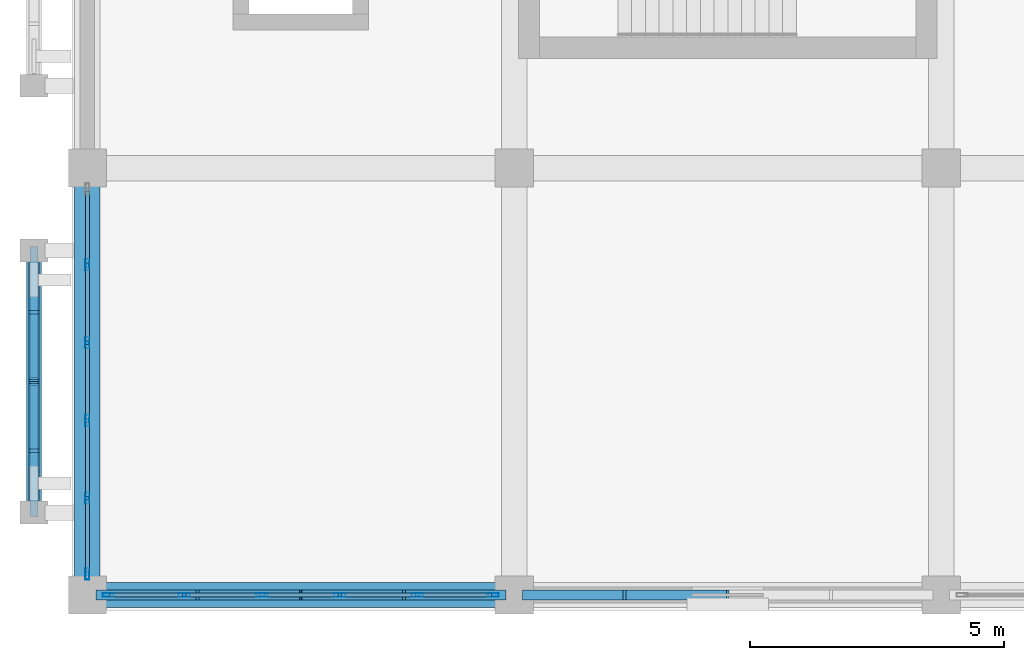
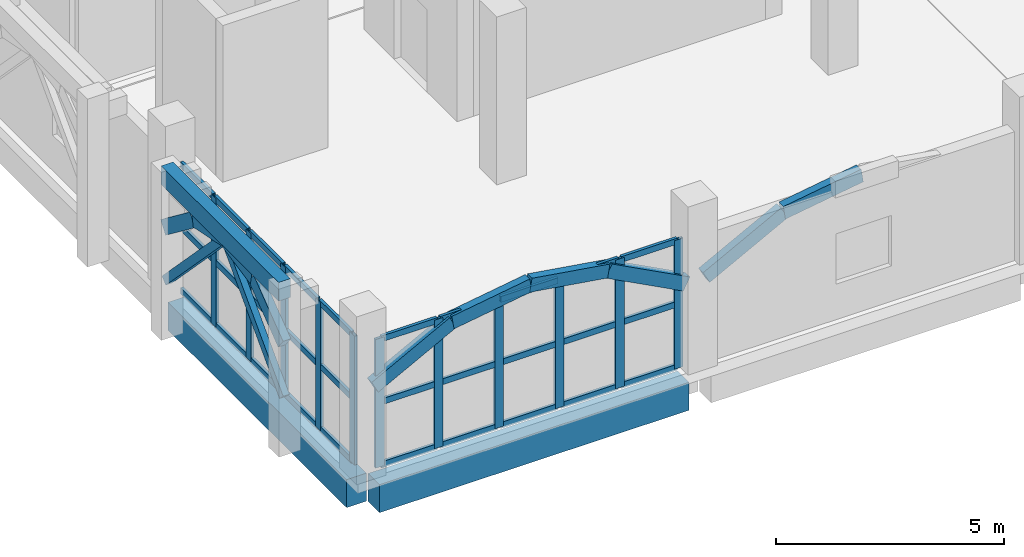
# One storey, part 2 of 34: 53 members, 3 beams, 2 elements without a shape of their own.
"""IFC4 building model written with IfcOpenShell, lengths in metres."""

import ifcopenshell
import ifcopenshell.guid

model = None  # the IFC model being written
_history = None  # IfcOwnerHistory: only IFC2X3 demands one
_inside = {}  # id of a spatial element -> (the spatial element, [elements in it])
_under = {}  # id of a project, library or spatial element -> (it, [spatial elements below it])
_declared = {}  # id of a project -> (the project, [libraries it declares])
_typed = {}  # id of a type object -> (the type object, [elements of that type])
_made_of = {}  # id of a material, layer set ... -> (it, [elements and type objects made of it])


def new_model(schema):
    """Start an empty IFC model of exactly this schema.

    Asked for "IFC4X3", IfcOpenShell would pick the latest addendum, in which some entities
    have other attributes; the version numbers below select the first issue.
    IFC2X3 requires an IfcOwnerHistory on every rooted entity: one is made here for all.
    """
    global model, _history
    if schema == "IFC4X3":
        model = ifcopenshell.file(schema_version=(4, 3, 0, 0))
    else:
        model = ifcopenshell.file(schema=schema)
    _inside.clear()
    _under.clear()
    _declared.clear()
    _typed.clear()
    _made_of.clear()
    _history = None
    if model.schema == "IFC2X3":
        org = make("IfcOrganization", Name="unknown")
        user = make(
            "IfcPersonAndOrganization",
            ThePerson=make("IfcPerson", FamilyName="unknown"),
            TheOrganization=org,
        )
        app = make(
            "IfcApplication",
            ApplicationDeveloper=org,
            Version="unknown",
            ApplicationFullName="unknown",
            ApplicationIdentifier="unknown",
        )
        _history = make(
            "IfcOwnerHistory",
            OwningUser=user,
            OwningApplication=app,
            ChangeAction="ADDED",
            CreationDate=0,
        )
    return model


def make(cls, **values):
    """One entity of the class cls with the attributes given. An attribute that is None is left unset."""
    return model.create_entity(
        cls, **{name: value for name, value in values.items() if value is not None}
    )


def rooted(cls, **values):
    """An entity with a GlobalId (a new one), such as an element, a storey or a relation."""
    return make(cls, GlobalId=ifcopenshell.guid.new(), OwnerHistory=_history, **values)


def si_unit(unit_type, name, prefix=None):
    """IfcSIUnit, for example si_unit("LENGTHUNIT", "METRE", prefix="MILLI")."""
    return make("IfcSIUnit", UnitType=unit_type, Prefix=prefix, Name=name)


def assignment(units):
    """IfcUnitAssignment: the units of a project."""
    return None if units is None else make("IfcUnitAssignment", Units=units)


def point(xyz):
    """IfcCartesianPoint."""
    return None if xyz is None else make("IfcCartesianPoint", Coordinates=xyz)


def direction(xyz):
    """IfcDirection."""
    return None if xyz is None else make("IfcDirection", DirectionRatios=xyz)


def frame(location, z_axis=None, x_axis=None):
    """IfcAxis2Placement3D, a coordinate frame: its origin and axes. An axis left out is left unset."""
    return make(
        "IfcAxis2Placement3D",
        Location=point(location),
        Axis=direction(z_axis),
        RefDirection=direction(x_axis),
    )


def frame_2d(location, x_axis=None):
    """IfcAxis2Placement2D, a coordinate frame in the plane: its origin and x axis."""
    return make(
        "IfcAxis2Placement2D", Location=point(location), RefDirection=direction(x_axis)
    )


def origin():
    """The frame at (0, 0, 0) with its axes left unset."""
    return frame((0.0, 0.0, 0.0))


def origin_2d():
    """The frame at (0, 0) in the plane with its x axis left unset."""
    return frame_2d((0.0, 0.0))


def place(relative_to, where):
    """IfcLocalPlacement: puts the frame where relative to a parent placement (None: the world)."""
    return make(
        "IfcLocalPlacement", PlacementRelTo=relative_to, RelativePlacement=where
    )


def context(
    kind, dimensions, precision=None, world=None, true_north=None, identifier=None
):
    """IfcGeometricRepresentationContext, for example the 3D "Model" context."""
    return make(
        "IfcGeometricRepresentationContext",
        ContextIdentifier=identifier,
        ContextType=kind,
        CoordinateSpaceDimension=dimensions,
        Precision=precision,
        WorldCoordinateSystem=world,
        TrueNorth=true_north,
    )


def subcontext(parent, identifier, kind, view, scale=None):
    """IfcGeometricRepresentationSubContext, for example "Body" below "Model"."""
    return make(
        "IfcGeometricRepresentationSubContext",
        ContextIdentifier=identifier,
        ContextType=kind,
        ParentContext=parent,
        TargetScale=scale,
        TargetView=view,
    )


def project(units=None, contexts=None):
    """IfcProject with its units and contexts."""
    return rooted(
        "IfcProject",
        Name="project",
        RepresentationContexts=contexts,
        UnitsInContext=assignment(units),
    )


def spatial(cls, under=None, at=None, **own):
    """A site, building, storey or space (cls), placed at a placement, below another one or the project."""
    s = rooted(cls, ObjectPlacement=at, **own)
    if under is not None:
        _under.setdefault(under.id(), (under, []))[1].append(s)
    return s


def profile(cls, at=None, kind="AREA", **sizes):
    """A parametric profile (cls). Its sizes go by their IFC names, for example OverallWidth=200.0."""
    return make(cls, ProfileType=kind, Position=at, **sizes)


def rectangle(**sizes):
    """IfcRectangleProfileDef."""
    return profile("IfcRectangleProfileDef", **sizes)


def hollow_rectangle(**sizes):
    """IfcRectangleHollowProfileDef."""
    return profile("IfcRectangleHollowProfileDef", **sizes)


def extrude(swept, where, along, depth):
    """IfcExtrudedAreaSolid: the profile swept, set in the frame where, extruded along a direction by depth."""
    return make(
        "IfcExtrudedAreaSolid",
        SweptArea=swept,
        Position=where,
        ExtrudedDirection=direction(along),
        Depth=depth,
    )


def shape(context_of_items, identifier, shape_type, items):
    """IfcShapeRepresentation: the items that make up one representation, for example the "Body"."""
    return make(
        "IfcShapeRepresentation",
        ContextOfItems=context_of_items,
        RepresentationIdentifier=identifier,
        RepresentationType=shape_type,
        Items=items,
    )


def material(Name=None, Category=None):
    """IfcMaterial."""
    return make("IfcMaterial", Name=Name, Category=Category)


def layer(
    of_material, thickness, ventilated=None, Name=None, Category=None, Priority=None
):
    """IfcMaterialLayer: one layer of a wall or slab, of a material (None: an air gap)."""
    return make(
        "IfcMaterialLayer",
        Material=of_material,
        LayerThickness=thickness,
        IsVentilated=ventilated,
        Name=Name,
        Category=Category,
        Priority=Priority,
    )


def layer_set(layers, Name=None):
    """IfcMaterialLayerSet."""
    return make("IfcMaterialLayerSet", MaterialLayers=layers, LayerSetName=Name)


def material_profile(
    of_material, cross_section, Name=None, Category=None, Priority=None
):
    """IfcMaterialProfile: a cross section and its material."""
    return make(
        "IfcMaterialProfile",
        Name=Name,
        Material=of_material,
        Profile=cross_section,
        Priority=Priority,
        Category=Category,
    )


def profile_set(profiles, Name=None, composite=None):
    """IfcMaterialProfileSet."""
    return make(
        "IfcMaterialProfileSet",
        Name=Name,
        MaterialProfiles=profiles,
        CompositeProfile=composite,
    )


def made_of(thing, what):
    """Note that an element or type object is made of a material, layer set ...; save() writes the relation."""
    if what is not None:
        _made_of.setdefault(what.id(), (what, []))[1].append(thing)
    return thing


def type_object(cls, material=None, **own):
    """A type object (cls), such as IfcWallType, which elements share."""
    return made_of(rooted(cls, **own), material)


def element(
    cls,
    number,
    at=None,
    inside=None,
    cuts=None,
    type_object=None,
    material=None,
    context=None,
    identifier="Body",
    shape_type=None,
    held_by="IfcProductDefinitionShape",
    body=None,
    shapes=None,
    **own,
):
    """One element of the class cls, such as IfcWall. Its Tag is "e" and its number.

    at: its placement. inside: the storey or other place that contains it. cuts: it is an
    opening in that element (IfcRelVoidsElement). A single representation is given by context,
    identifier, shape_type and body (its items); several are given by shapes. held_by: the class
    of the entity that holds the representations. save() writes the other relations.
    """
    e = rooted(cls, Tag="e%d" % number, ObjectPlacement=at, **own)
    if body is not None:
        shapes = [shape(context, identifier, shape_type, body)]
    if shapes is not None:
        e.Representation = make(held_by, Representations=shapes)
    if inside is not None:
        _inside.setdefault(inside.id(), (inside, []))[1].append(e)
    if cuts is not None:
        rooted(
            "IfcRelVoidsElement", RelatingBuildingElement=cuts, RelatedOpeningElement=e
        )
    if type_object is not None:
        _typed.setdefault(type_object.id(), (type_object, []))[1].append(e)
    return made_of(e, material)


def aggregate(whole, parts):
    """IfcRelAggregates: a whole, such as a stair, and the parts it consists of."""
    return rooted("IfcRelAggregates", RelatingObject=whole, RelatedObjects=parts)


def save(model, path):
    """Write the relations noted so far, then the file.

    IfcRelAggregates (storeys below a building ...), IfcRelContainedInSpatialStructure (elements
    in a storey), IfcRelDefinesByType, IfcRelAssociatesMaterial and IfcRelDeclares: one each for
    every whole, place, type object, material and project.
    """
    for whole, parts in _under.values():
        aggregate(whole, parts)
    for where, things in _inside.values():
        rooted(
            "IfcRelContainedInSpatialStructure",
            RelatedElements=things,
            RelatingStructure=where,
        )
    for kind, things in _typed.values():
        rooted("IfcRelDefinesByType", RelatedObjects=things, RelatingType=kind)
    for what, things in _made_of.values():
        rooted("IfcRelAssociatesMaterial", RelatedObjects=things, RelatingMaterial=what)
    for by, libraries in _declared.values():
        rooted("IfcRelDeclares", RelatingContext=by, RelatedDefinitions=libraries)
    model.write(path)


model = new_model("IFC4")

# Units and contexts
model_context = context("Model", 3, precision=1e-05, world=origin(), true_north=direction((0.0, 1.0)))
body_context = subcontext(model_context, "Body", "Model", "MODEL_VIEW")
ifc_project = project(units=[si_unit("LENGTHUNIT", "METRE"), si_unit("AREAUNIT", "SQUARE_METRE"), si_unit("VOLUMEUNIT", "CUBIC_METRE"), si_unit("PLANEANGLEUNIT", "RADIAN"), si_unit("MASSUNIT", "GRAM", prefix="KILO")], contexts=[model_context])

# Site, building, storey
site_placement = place(None, origin())
site = spatial("IfcSite", under=ifc_project, at=site_placement, CompositionType="ELEMENT")
building_placement = place(site_placement, origin())
building = spatial("IfcBuilding", under=site, at=building_placement, Name="Xazarin Passage Department Store", CompositionType="ELEMENT")
storey_placement = place(building_placement, frame((0.0, 0.0, 18.89990234375)))
storey = spatial("IfcBuildingStorey", under=building, at=storey_placement, Name="L04", CompositionType="ELEMENT", Elevation=18.89990234375)

# Curtain wall, members
ifc_material_1 = material(Name="Bronze anodised aluminium", Category="aluminium")
ifc_layer = layer(ifc_material_1, 0.199951171875)
ifc_layer_set = layer_set([ifc_layer], Name="Bronze anodised aluminium")
curtain_wall_type = type_object("IfcCurtainWallType", Name="ARC-CW-VIT2", PredefinedType="NOTDEFINED", material=ifc_layer_set)
curtain_wall_1_placement = place(storey_placement, origin())
curtain_wall_1 = element("IfcCurtainWall", 1, at=curtain_wall_1_placement, inside=storey, type_object=curtain_wall_type, Name="L04 V1 Curtain Wall 067", PredefinedType="NOTDEFINED")
ifc_material_profile_1 = material_profile(ifc_material_1, hollow_rectangle(XDim=0.074951171875, YDim=0.219970703125, WallThickness=0.0048828125, at=origin_2d()), Name="ALU 75x220")
ifc_profile_set_1 = profile_set([ifc_material_profile_1], Name="Bronze anodised aluminium")
member_type_1 = type_object("IfcMemberType", Name="ARC-CWM-75x220", PredefinedType="MULLION", material=ifc_profile_set_1)
member_1_placement = place(storey_placement, frame((0.41259765625, 68.0, 0.0), z_axis=(0.0, 0.0, 1.0), x_axis=(0.0, 1.0, 0.0)))
member_1 = element("IfcMember", 2, at=member_1_placement, type_object=member_type_1, Name="CW2 mullion 1", PredefinedType="MULLION", context=body_context, shape_type="SweptSolid", body=[
    extrude(hollow_rectangle(XDim=0.074951171875, YDim=0.219970703125, WallThickness=0.0048828125, at=origin_2d()), origin(), (0.0, 0.0, 1.0), 3.4501953125),
])
member_2_placement = place(storey_placement, frame((1.905029296875, 68.0, 0.0), z_axis=(0.0, 0.0, 1.0), x_axis=(0.0, 1.0, 0.0)))
member_2 = element("IfcMember", 3, at=member_2_placement, type_object=member_type_1, Name="CW2 mullion 2", PredefinedType="MULLION", context=body_context, shape_type="SweptSolid", body=[
    extrude(hollow_rectangle(XDim=0.074951171875, YDim=0.219970703125, WallThickness=0.0048828125, at=origin_2d()), origin(), (0.0, 0.0, 1.0), 3.4501953125),
])
member_3_placement = place(storey_placement, frame((3.43505859375, 68.0, 0.0), z_axis=(0.0, 0.0, 1.0), x_axis=(0.0, 1.0, 0.0)))
member_3 = element("IfcMember", 4, at=member_3_placement, type_object=member_type_1, Name="CW2 mullion 3", PredefinedType="MULLION", context=body_context, shape_type="SweptSolid", body=[
    extrude(hollow_rectangle(XDim=0.074951171875, YDim=0.219970703125, WallThickness=0.0048828125, at=origin_2d()), origin(), (0.0, 0.0, 1.0), 3.4501953125),
])
member_4_placement = place(storey_placement, frame((4.965087890625, 68.0, 0.0), z_axis=(0.0, 0.0, 1.0), x_axis=(0.0, 1.0, 0.0)))
member_4 = element("IfcMember", 5, at=member_4_placement, type_object=member_type_1, Name="CW2 mullion 4", PredefinedType="MULLION", context=body_context, shape_type="SweptSolid", body=[
    extrude(hollow_rectangle(XDim=0.074951171875, YDim=0.219970703125, WallThickness=0.0048828125, at=origin_2d()), origin(), (0.0, 0.0, 1.0), 3.4501953125),
])
member_5_placement = place(storey_placement, frame((6.4951171875, 68.0, 0.0), z_axis=(0.0, 0.0, 1.0), x_axis=(0.0, 1.0, 0.0)))
member_5 = element("IfcMember", 6, at=member_5_placement, type_object=member_type_1, Name="CW2 mullion 5", PredefinedType="MULLION", context=body_context, shape_type="SweptSolid", body=[
    extrude(hollow_rectangle(XDim=0.074951171875, YDim=0.219970703125, WallThickness=0.0048828125, at=origin_2d()), origin(), (0.0, 0.0, 1.0), 3.4501953125),
])
member_6_placement = place(storey_placement, frame((7.987548828125, 68.0, 0.0), z_axis=(0.0, 0.0, 1.0), x_axis=(0.0, 1.0, 0.0)))
member_6 = element("IfcMember", 7, at=member_6_placement, type_object=member_type_1, Name="CW2 mullion 6", PredefinedType="MULLION", context=body_context, shape_type="SweptSolid", body=[
    extrude(hollow_rectangle(XDim=0.074951171875, YDim=0.219970703125, WallThickness=0.0048828125, at=origin_2d()), origin(), (0.0, 0.0, 1.0), 3.4501953125),
])

curtain_wall_2_placement = place(storey_placement, origin())
curtain_wall_2 = element("IfcCurtainWall", 8, at=curtain_wall_2_placement, inside=storey, type_object=curtain_wall_type, Name="L04 V1 Curtain Wall 072", PredefinedType="NOTDEFINED")
member_7_placement = place(storey_placement, frame((0.0, 68.41259765625, 0.0), z_axis=(0.0, 0.0, 1.0), x_axis=(-1.0, 0.0, 0.0)))
member_7 = element("IfcMember", 9, at=member_7_placement, type_object=member_type_1, Name="CW2 mullion 1", PredefinedType="MULLION", context=body_context, shape_type="SweptSolid", body=[
    extrude(hollow_rectangle(XDim=0.074951171875, YDim=0.219970703125, WallThickness=0.0048828125, at=origin_2d()), origin(), (0.0, 0.0, 1.0), 3.4501953125),
])
member_8_placement = place(storey_placement, frame((0.0, 69.905029296875, 0.0), z_axis=(0.0, 0.0, 1.0), x_axis=(-1.0, 0.0, 0.0)))
member_8 = element("IfcMember", 10, at=member_8_placement, type_object=member_type_1, Name="CW2 mullion 2", PredefinedType="MULLION", context=body_context, shape_type="SweptSolid", body=[
    extrude(hollow_rectangle(XDim=0.074951171875, YDim=0.219970703125, WallThickness=0.0048828125, at=origin_2d()), origin(), (0.0, 0.0, 1.0), 3.4501953125),
])
member_9_placement = place(storey_placement, frame((0.0, 71.43505859375, 0.0), z_axis=(0.0, 0.0, 1.0), x_axis=(-1.0, 0.0, 0.0)))
member_9 = element("IfcMember", 11, at=member_9_placement, type_object=member_type_1, Name="CW2 mullion 3", PredefinedType="MULLION", context=body_context, shape_type="SweptSolid", body=[
    extrude(hollow_rectangle(XDim=0.074951171875, YDim=0.219970703125, WallThickness=0.0048828125, at=origin_2d()), origin(), (0.0, 0.0, 1.0), 3.4501953125),
])
member_10_placement = place(storey_placement, frame((0.0, 72.965087890625, 0.0), z_axis=(0.0, 0.0, 1.0), x_axis=(-1.0, 0.0, 0.0)))
member_10 = element("IfcMember", 12, at=member_10_placement, type_object=member_type_1, Name="CW2 mullion 4", PredefinedType="MULLION", context=body_context, shape_type="SweptSolid", body=[
    extrude(hollow_rectangle(XDim=0.074951171875, YDim=0.219970703125, WallThickness=0.0048828125, at=origin_2d()), origin(), (0.0, 0.0, 1.0), 3.4501953125),
])
member_11_placement = place(storey_placement, frame((0.0, 74.4951171875, 0.0), z_axis=(0.0, 0.0, 1.0), x_axis=(-1.0, 0.0, 0.0)))
member_11 = element("IfcMember", 13, at=member_11_placement, type_object=member_type_1, Name="CW2 mullion 5", PredefinedType="MULLION", context=body_context, shape_type="SweptSolid", body=[
    extrude(hollow_rectangle(XDim=0.074951171875, YDim=0.219970703125, WallThickness=0.0048828125, at=origin_2d()), origin(), (0.0, 0.0, 1.0), 3.4501953125),
])

# Member
ifc_material_profile_2 = material_profile(ifc_material_1, hollow_rectangle(XDim=0.074951171875, YDim=0.159912109375, WallThickness=0.00439453125, at=origin_2d()), Name="ALU 75x160")
ifc_profile_set_2 = profile_set([ifc_material_profile_2], Name="Bronze anodised aluminium")
member_type_2 = type_object("IfcMemberType", Name="ARC-CWT-75x160", PredefinedType="USERDEFINED", material=ifc_profile_set_2)
member_12_placement = place(storey_placement, frame((0.449951171875, 68.0, 0.03759765625), z_axis=(1.0, 0.0, 0.0), x_axis=(0.0, 1.0, 0.0)))
member_12 = element("IfcMember", 14, at=member_12_placement, type_object=member_type_2, Name="CW2 transom 1.1", ObjectType="TRANSOM", PredefinedType="USERDEFINED", context=body_context, shape_type="SweptSolid", body=[
    extrude(hollow_rectangle(XDim=0.074951171875, YDim=0.159912109375, WallThickness=0.00439453125, at=origin_2d()), origin(), (0.0, 0.0, 1.0), 1.41748046875),
])

member_13_placement = place(storey_placement, frame((0.449951171875, 68.0, 1.72509765625), z_axis=(1.0, 0.0, 0.0), x_axis=(0.0, 1.0, 0.0)))
member_13 = element("IfcMember", 15, at=member_13_placement, type_object=member_type_2, Name="CW2 transom 1.2", ObjectType="TRANSOM", PredefinedType="USERDEFINED", context=body_context, shape_type="SweptSolid", body=[
    extrude(hollow_rectangle(XDim=0.074951171875, YDim=0.159912109375, WallThickness=0.00439453125, at=origin_2d()), origin(), (0.0, 0.0, 1.0), 1.41748046875),
])

member_14_placement = place(storey_placement, frame((0.449951171875, 68.0, 3.41259765625), z_axis=(1.0, 0.0, 0.0), x_axis=(0.0, 1.0, 0.0)))
member_14 = element("IfcMember", 16, at=member_14_placement, type_object=member_type_2, Name="CW2 transom 1.3", ObjectType="TRANSOM", PredefinedType="USERDEFINED", context=body_context, shape_type="SweptSolid", body=[
    extrude(hollow_rectangle(XDim=0.074951171875, YDim=0.159912109375, WallThickness=0.00439453125, at=origin_2d()), origin(), (0.0, 0.0, 1.0), 1.41748046875),
])

member_15_placement = place(storey_placement, frame((1.9423828125, 68.0, 0.03759765625), z_axis=(1.0, 0.0, 0.0), x_axis=(0.0, 1.0, 0.0)))
member_15 = element("IfcMember", 17, at=member_15_placement, type_object=member_type_2, Name="CW2 transom 2.1", ObjectType="TRANSOM", PredefinedType="USERDEFINED", context=body_context, shape_type="SweptSolid", body=[
    extrude(hollow_rectangle(XDim=0.074951171875, YDim=0.159912109375, WallThickness=0.00439453125, at=origin_2d()), origin(), (0.0, 0.0, 1.0), 1.455078125),
])

member_16_placement = place(storey_placement, frame((1.9423828125, 68.0, 1.72509765625), z_axis=(1.0, 0.0, 0.0), x_axis=(0.0, 1.0, 0.0)))
member_16 = element("IfcMember", 18, at=member_16_placement, type_object=member_type_2, Name="CW2 transom 2.2", ObjectType="TRANSOM", PredefinedType="USERDEFINED", context=body_context, shape_type="SweptSolid", body=[
    extrude(hollow_rectangle(XDim=0.074951171875, YDim=0.159912109375, WallThickness=0.00439453125, at=origin_2d()), origin(), (0.0, 0.0, 1.0), 1.455078125),
])

member_17_placement = place(storey_placement, frame((1.9423828125, 68.0, 3.41259765625), z_axis=(1.0, 0.0, 0.0), x_axis=(0.0, 1.0, 0.0)))
member_17 = element("IfcMember", 19, at=member_17_placement, type_object=member_type_2, Name="CW2 transom 2.3", ObjectType="TRANSOM", PredefinedType="USERDEFINED", context=body_context, shape_type="SweptSolid", body=[
    extrude(hollow_rectangle(XDim=0.074951171875, YDim=0.159912109375, WallThickness=0.00439453125, at=origin_2d()), origin(), (0.0, 0.0, 1.0), 1.455078125),
])

member_18_placement = place(storey_placement, frame((3.472412109375, 68.0, 0.03759765625), z_axis=(1.0, 0.0, 0.0), x_axis=(0.0, 1.0, 0.0)))
member_18 = element("IfcMember", 20, at=member_18_placement, type_object=member_type_2, Name="CW2 transom 3.1", ObjectType="TRANSOM", PredefinedType="USERDEFINED", context=body_context, shape_type="SweptSolid", body=[
    extrude(hollow_rectangle(XDim=0.074951171875, YDim=0.159912109375, WallThickness=0.00439453125, at=origin_2d()), origin(), (0.0, 0.0, 1.0), 1.455078125),
])

member_19_placement = place(storey_placement, frame((3.472412109375, 68.0, 1.72509765625), z_axis=(1.0, 0.0, 0.0), x_axis=(0.0, 1.0, 0.0)))
member_19 = element("IfcMember", 21, at=member_19_placement, type_object=member_type_2, Name="CW2 transom 3.2", ObjectType="TRANSOM", PredefinedType="USERDEFINED", context=body_context, shape_type="SweptSolid", body=[
    extrude(hollow_rectangle(XDim=0.074951171875, YDim=0.159912109375, WallThickness=0.00439453125, at=origin_2d()), origin(), (0.0, 0.0, 1.0), 1.455078125),
])

member_20_placement = place(storey_placement, frame((3.472412109375, 68.0, 3.41259765625), z_axis=(1.0, 0.0, 0.0), x_axis=(0.0, 1.0, 0.0)))
member_20 = element("IfcMember", 22, at=member_20_placement, type_object=member_type_2, Name="CW2 transom 3.3", ObjectType="TRANSOM", PredefinedType="USERDEFINED", context=body_context, shape_type="SweptSolid", body=[
    extrude(hollow_rectangle(XDim=0.074951171875, YDim=0.159912109375, WallThickness=0.00439453125, at=origin_2d()), origin(), (0.0, 0.0, 1.0), 1.455078125),
])

member_21_placement = place(storey_placement, frame((5.00244140625, 68.0, 0.03759765625), z_axis=(1.0, 0.0, 0.0), x_axis=(0.0, 1.0, 0.0)))
member_21 = element("IfcMember", 23, at=member_21_placement, type_object=member_type_2, Name="CW2 transom 4.1", ObjectType="TRANSOM", PredefinedType="USERDEFINED", context=body_context, shape_type="SweptSolid", body=[
    extrude(hollow_rectangle(XDim=0.074951171875, YDim=0.159912109375, WallThickness=0.00439453125, at=origin_2d()), origin(), (0.0, 0.0, 1.0), 1.455078125),
])

member_22_placement = place(storey_placement, frame((5.00244140625, 68.0, 1.72509765625), z_axis=(1.0, 0.0, 0.0), x_axis=(0.0, 1.0, 0.0)))
member_22 = element("IfcMember", 24, at=member_22_placement, type_object=member_type_2, Name="CW2 transom 4.2", ObjectType="TRANSOM", PredefinedType="USERDEFINED", context=body_context, shape_type="SweptSolid", body=[
    extrude(hollow_rectangle(XDim=0.074951171875, YDim=0.159912109375, WallThickness=0.00439453125, at=origin_2d()), origin(), (0.0, 0.0, 1.0), 1.455078125),
])

member_23_placement = place(storey_placement, frame((5.00244140625, 68.0, 3.41259765625), z_axis=(1.0, 0.0, 0.0), x_axis=(0.0, 1.0, 0.0)))
member_23 = element("IfcMember", 25, at=member_23_placement, type_object=member_type_2, Name="CW2 transom 4.3", ObjectType="TRANSOM", PredefinedType="USERDEFINED", context=body_context, shape_type="SweptSolid", body=[
    extrude(hollow_rectangle(XDim=0.074951171875, YDim=0.159912109375, WallThickness=0.00439453125, at=origin_2d()), origin(), (0.0, 0.0, 1.0), 1.455078125),
])

member_24_placement = place(storey_placement, frame((6.532470703125, 68.0, 0.03759765625), z_axis=(1.0, 0.0, 0.0), x_axis=(0.0, 1.0, 0.0)))
member_24 = element("IfcMember", 26, at=member_24_placement, type_object=member_type_2, Name="CW2 transom 5.1", ObjectType="TRANSOM", PredefinedType="USERDEFINED", context=body_context, shape_type="SweptSolid", body=[
    extrude(hollow_rectangle(XDim=0.074951171875, YDim=0.159912109375, WallThickness=0.00439453125, at=origin_2d()), origin(), (0.0, 0.0, 1.0), 1.41748046875),
])

member_25_placement = place(storey_placement, frame((6.532470703125, 68.0, 1.72509765625), z_axis=(1.0, 0.0, 0.0), x_axis=(0.0, 1.0, 0.0)))
member_25 = element("IfcMember", 27, at=member_25_placement, type_object=member_type_2, Name="CW2 transom 5.2", ObjectType="TRANSOM", PredefinedType="USERDEFINED", context=body_context, shape_type="SweptSolid", body=[
    extrude(hollow_rectangle(XDim=0.074951171875, YDim=0.159912109375, WallThickness=0.00439453125, at=origin_2d()), origin(), (0.0, 0.0, 1.0), 1.41748046875),
])

member_26_placement = place(storey_placement, frame((6.532470703125, 68.0, 3.41259765625), z_axis=(1.0, 0.0, 0.0), x_axis=(0.0, 1.0, 0.0)))
member_26 = element("IfcMember", 28, at=member_26_placement, type_object=member_type_2, Name="CW2 transom 5.3", ObjectType="TRANSOM", PredefinedType="USERDEFINED", context=body_context, shape_type="SweptSolid", body=[
    extrude(hollow_rectangle(XDim=0.074951171875, YDim=0.159912109375, WallThickness=0.00439453125, at=origin_2d()), origin(), (0.0, 0.0, 1.0), 1.41748046875),
])

aggregate(curtain_wall_1, [member_1, member_2, member_3, member_4, member_5, member_6, member_12, member_13, member_14, member_15, member_16, member_17, member_18, member_19, member_20, member_21, member_22, member_23, member_24, member_25, member_26])

member_27_placement = place(storey_placement, frame((0.0, 68.449951171875, 0.03759765625), z_axis=(0.0, 1.0, 0.0), x_axis=(-1.0, 0.0, 0.0)))
member_27 = element("IfcMember", 29, at=member_27_placement, type_object=member_type_2, Name="CW2 transom 1.1", ObjectType="TRANSOM", PredefinedType="USERDEFINED", context=body_context, shape_type="SweptSolid", body=[
    extrude(hollow_rectangle(XDim=0.074951171875, YDim=0.159912109375, WallThickness=0.00439453125, at=origin_2d()), origin(), (0.0, 0.0, 1.0), 1.41748046875),
])

member_28_placement = place(storey_placement, frame((0.0, 68.449951171875, 1.72509765625), z_axis=(0.0, 1.0, 0.0), x_axis=(-1.0, 0.0, 0.0)))
member_28 = element("IfcMember", 30, at=member_28_placement, type_object=member_type_2, Name="CW2 transom 1.2", ObjectType="TRANSOM", PredefinedType="USERDEFINED", context=body_context, shape_type="SweptSolid", body=[
    extrude(hollow_rectangle(XDim=0.074951171875, YDim=0.159912109375, WallThickness=0.00439453125, at=origin_2d()), origin(), (0.0, 0.0, 1.0), 1.41748046875),
])

member_29_placement = place(storey_placement, frame((0.0, 68.449951171875, 3.41259765625), z_axis=(0.0, 1.0, 0.0), x_axis=(-1.0, 0.0, 0.0)))
member_29 = element("IfcMember", 31, at=member_29_placement, type_object=member_type_2, Name="CW2 transom 1.3", ObjectType="TRANSOM", PredefinedType="USERDEFINED", context=body_context, shape_type="SweptSolid", body=[
    extrude(hollow_rectangle(XDim=0.074951171875, YDim=0.159912109375, WallThickness=0.00439453125, at=origin_2d()), origin(), (0.0, 0.0, 1.0), 1.41748046875),
])

member_30_placement = place(storey_placement, frame((0.0, 69.9423828125, 0.03759765625), z_axis=(0.0, 1.0, 0.0), x_axis=(-1.0, 0.0, 0.0)))
member_30 = element("IfcMember", 32, at=member_30_placement, type_object=member_type_2, Name="CW2 transom 2.1", ObjectType="TRANSOM", PredefinedType="USERDEFINED", context=body_context, shape_type="SweptSolid", body=[
    extrude(hollow_rectangle(XDim=0.074951171875, YDim=0.159912109375, WallThickness=0.00439453125, at=origin_2d()), origin(), (0.0, 0.0, 1.0), 1.455078125),
])

member_31_placement = place(storey_placement, frame((0.0, 69.9423828125, 1.72509765625), z_axis=(0.0, 1.0, 0.0), x_axis=(-1.0, 0.0, 0.0)))
member_31 = element("IfcMember", 33, at=member_31_placement, type_object=member_type_2, Name="CW2 transom 2.2", ObjectType="TRANSOM", PredefinedType="USERDEFINED", context=body_context, shape_type="SweptSolid", body=[
    extrude(hollow_rectangle(XDim=0.074951171875, YDim=0.159912109375, WallThickness=0.00439453125, at=origin_2d()), origin(), (0.0, 0.0, 1.0), 1.455078125),
])

member_32_placement = place(storey_placement, frame((0.0, 69.9423828125, 3.41259765625), z_axis=(0.0, 1.0, 0.0), x_axis=(-1.0, 0.0, 0.0)))
member_32 = element("IfcMember", 34, at=member_32_placement, type_object=member_type_2, Name="CW2 transom 2.3", ObjectType="TRANSOM", PredefinedType="USERDEFINED", context=body_context, shape_type="SweptSolid", body=[
    extrude(hollow_rectangle(XDim=0.074951171875, YDim=0.159912109375, WallThickness=0.00439453125, at=origin_2d()), origin(), (0.0, 0.0, 1.0), 1.455078125),
])

member_33_placement = place(storey_placement, frame((0.0, 71.472412109375, 0.03759765625), z_axis=(0.0, 1.0, 0.0), x_axis=(-1.0, 0.0, 0.0)))
member_33 = element("IfcMember", 35, at=member_33_placement, type_object=member_type_2, Name="CW2 transom 3.1", ObjectType="TRANSOM", PredefinedType="USERDEFINED", context=body_context, shape_type="SweptSolid", body=[
    extrude(hollow_rectangle(XDim=0.074951171875, YDim=0.159912109375, WallThickness=0.00439453125, at=origin_2d()), origin(), (0.0, 0.0, 1.0), 1.455078125),
])

member_34_placement = place(storey_placement, frame((0.0, 71.472412109375, 1.72509765625), z_axis=(0.0, 1.0, 0.0), x_axis=(-1.0, 0.0, 0.0)))
member_34 = element("IfcMember", 36, at=member_34_placement, type_object=member_type_2, Name="CW2 transom 3.2", ObjectType="TRANSOM", PredefinedType="USERDEFINED", context=body_context, shape_type="SweptSolid", body=[
    extrude(hollow_rectangle(XDim=0.074951171875, YDim=0.159912109375, WallThickness=0.00439453125, at=origin_2d()), origin(), (0.0, 0.0, 1.0), 1.455078125),
])

member_35_placement = place(storey_placement, frame((0.0, 71.472412109375, 3.41259765625), z_axis=(0.0, 1.0, 0.0), x_axis=(-1.0, 0.0, 0.0)))
member_35 = element("IfcMember", 37, at=member_35_placement, type_object=member_type_2, Name="CW2 transom 3.3", ObjectType="TRANSOM", PredefinedType="USERDEFINED", context=body_context, shape_type="SweptSolid", body=[
    extrude(hollow_rectangle(XDim=0.074951171875, YDim=0.159912109375, WallThickness=0.00439453125, at=origin_2d()), origin(), (0.0, 0.0, 1.0), 1.455078125),
])

member_36_placement = place(storey_placement, frame((0.0, 73.00244140625, 0.03759765625), z_axis=(0.0, 1.0, 0.0), x_axis=(-1.0, 0.0, 0.0)))
member_36 = element("IfcMember", 38, at=member_36_placement, type_object=member_type_2, Name="CW2 transom 4.1", ObjectType="TRANSOM", PredefinedType="USERDEFINED", context=body_context, shape_type="SweptSolid", body=[
    extrude(hollow_rectangle(XDim=0.074951171875, YDim=0.159912109375, WallThickness=0.00439453125, at=origin_2d()), origin(), (0.0, 0.0, 1.0), 1.455078125),
])

member_37_placement = place(storey_placement, frame((0.0, 73.00244140625, 1.72509765625), z_axis=(0.0, 1.0, 0.0), x_axis=(-1.0, 0.0, 0.0)))
member_37 = element("IfcMember", 39, at=member_37_placement, type_object=member_type_2, Name="CW2 transom 4.2", ObjectType="TRANSOM", PredefinedType="USERDEFINED", context=body_context, shape_type="SweptSolid", body=[
    extrude(hollow_rectangle(XDim=0.074951171875, YDim=0.159912109375, WallThickness=0.00439453125, at=origin_2d()), origin(), (0.0, 0.0, 1.0), 1.455078125),
])

member_38_placement = place(storey_placement, frame((0.0, 73.00244140625, 3.41259765625), z_axis=(0.0, 1.0, 0.0), x_axis=(-1.0, 0.0, 0.0)))
member_38 = element("IfcMember", 40, at=member_38_placement, type_object=member_type_2, Name="CW2 transom 4.3", ObjectType="TRANSOM", PredefinedType="USERDEFINED", context=body_context, shape_type="SweptSolid", body=[
    extrude(hollow_rectangle(XDim=0.074951171875, YDim=0.159912109375, WallThickness=0.00439453125, at=origin_2d()), origin(), (0.0, 0.0, 1.0), 1.455078125),
])

member_39_placement = place(storey_placement, frame((0.0, 74.532470703125, 0.03759765625), z_axis=(0.0, 1.0, 0.0), x_axis=(-1.0, 0.0, 0.0)))
member_39 = element("IfcMember", 41, at=member_39_placement, type_object=member_type_2, Name="CW2 transom 5.1", ObjectType="TRANSOM", PredefinedType="USERDEFINED", context=body_context, shape_type="SweptSolid", body=[
    extrude(hollow_rectangle(XDim=0.074951171875, YDim=0.159912109375, WallThickness=0.00439453125, at=origin_2d()), origin(), (0.0, 0.0, 1.0), 1.41748046875),
])

member_40_placement = place(storey_placement, frame((0.0, 74.532470703125, 1.72509765625), z_axis=(0.0, 1.0, 0.0), x_axis=(-1.0, 0.0, 0.0)))
member_40 = element("IfcMember", 42, at=member_40_placement, type_object=member_type_2, Name="CW2 transom 5.2", ObjectType="TRANSOM", PredefinedType="USERDEFINED", context=body_context, shape_type="SweptSolid", body=[
    extrude(hollow_rectangle(XDim=0.074951171875, YDim=0.159912109375, WallThickness=0.00439453125, at=origin_2d()), origin(), (0.0, 0.0, 1.0), 1.41748046875),
])

member_41_placement = place(storey_placement, frame((0.0, 74.532470703125, 3.41259765625), z_axis=(0.0, 1.0, 0.0), x_axis=(-1.0, 0.0, 0.0)))
member_41 = element("IfcMember", 43, at=member_41_placement, type_object=member_type_2, Name="CW2 transom 5.3", ObjectType="TRANSOM", PredefinedType="USERDEFINED", context=body_context, shape_type="SweptSolid", body=[
    extrude(hollow_rectangle(XDim=0.074951171875, YDim=0.159912109375, WallThickness=0.00439453125, at=origin_2d()), origin(), (0.0, 0.0, 1.0), 1.41748046875),
])

aggregate(curtain_wall_2, [member_7, member_8, member_9, member_10, member_11, member_27, member_28, member_29, member_30, member_31, member_32, member_33, member_34, member_35, member_36, member_37, member_38, member_39, member_40, member_41])

# Beams
ifc_material_2 = material(Name="Concrete C35/45", Category="concrete")
ifc_material_profile_3 = material_profile(ifc_material_2, rectangle(XDim=0.300048828125, YDim=0.5, at=origin_2d()), Name="RC 300x500")
ifc_profile_set_3 = profile_set([ifc_material_profile_3], Name="Concrete C35/45")
beam_type_1 = type_object("IfcBeamType", Name="STR-BM-LN300x500", PredefinedType="LINTEL", material=ifc_profile_set_3)
beam_placement = place(storey_placement, frame((-1.050048828125, 69.6201171875, 4.25), z_axis=(0.0, 1.0, 0.0), x_axis=(-1.0, 0.0, 0.0)))
element("IfcBeam", 44, at=beam_placement, inside=storey, type_object=beam_type_1, Name="L04 V1 Colonnade Spandrel Beam 010", PredefinedType="LINTEL", context=body_context, shape_type="SweptSolid", body=[
    extrude(rectangle(XDim=0.300048828125, YDim=0.5, at=origin_2d()), origin(), (0.0, 0.0, 1.0), 5.159912109375),
])
ifc_material_profile_4 = material_profile(ifc_material_2, rectangle(XDim=0.5, YDim=0.75, at=origin_2d()), Name="RC 500x750")
ifc_profile_set_4 = profile_set([ifc_material_profile_4], Name="Concrete C35/45")
beam_type_2 = type_object("IfcBeamType", Name="STR-BM-SP500x750", PredefinedType="SPANDREL", material=ifc_profile_set_4)
for number, where, z_axis, x_axis, name in (
    (45, (0.280029296875, 68.0, -0.6748046875), (1.0, 0.0, 0.0), (0.0, 1.0, 0.0), "L04 Grid Beam K/1-2"),
    (46, (0.0, 68.280029296875, -0.6748046875), (0.0, 1.0, 0.0), (-1.0, 0.0, 0.0), "L04 Grid Beam 1/K-L"),
):
    element("IfcBeam", number, at=place(storey_placement, frame(where, z_axis=z_axis, x_axis=x_axis)), inside=storey, type_object=beam_type_2, Name=name, PredefinedType="SPANDREL", context=body_context, shape_type="SweptSolid", body=[
        extrude(rectangle(XDim=0.5, YDim=0.75, at=origin_2d()), origin(), (0.0, 0.0, 1.0), 7.840087890625),
    ])

# Members
ifc_material_3 = material(Name="Concrete C40/50", Category="concrete")
ifc_material_profile_5 = material_profile(ifc_material_3, rectangle(XDim=0.199951171875, YDim=0.360107421875, at=origin_2d()), Name="RC 200x360")
ifc_profile_set_5 = profile_set([ifc_material_profile_5], Name="Concrete C40/50")
member_type_3 = type_object("IfcMemberType", Name="STR-MEM-ARC360", PredefinedType="CHORD", material=ifc_profile_set_5)
member_42_placement = place(storey_placement, frame((-1.050048828125, 69.6201171875, 2.830078125), z_axis=(0.0, 0.794353565088, 0.607455688616), x_axis=(-1.0, 0.0, 0.0)))
element("IfcMember", 47, at=member_42_placement, inside=storey, type_object=member_type_3, Name="L04 V1 Pierced Lattice Curved Arch 010.1", PredefinedType="CHORD", context=body_context, shape_type="SweptSolid", body=[
    extrude(rectangle(XDim=0.199951171875, YDim=0.360107421875, at=origin_2d()), origin(), (0.0, 0.0, 1.0), 1.623779296875),
])
for number, where, z_axis, x_axis, name in (
    (48, (-1.050048828125, 70.909912109375, 3.81640625), (0.0, 0.979744705887, 0.200250621188), (-1.0, 0.0, 0.0), "L04 V1 Pierced Lattice Curved Arch 010.2"),
    (49, (-1.050048828125, 72.199951171875, 4.080078125), (0.0, 0.979744705887, -0.200250621188), (-1.0, 0.0, 0.0), "L04 V1 Pierced Lattice Curved Arch 010.3"),
):
    element("IfcMember", number, at=place(storey_placement, frame(where, z_axis=z_axis, x_axis=x_axis)), inside=storey, type_object=member_type_3, Name=name, PredefinedType="CHORD", context=body_context, shape_type="SweptSolid", body=[
        extrude(rectangle(XDim=0.199951171875, YDim=0.360107421875, at=origin_2d()), origin(), (0.0, 0.0, 1.0), 1.316650390625),
    ])
member_43_placement = place(storey_placement, frame((-1.050048828125, 73.489990234375, 3.81640625), z_axis=(0.0, 0.79440903847, -0.607383140692), x_axis=(-1.0, 0.0, 0.0)))
element("IfcMember", 50, at=member_43_placement, inside=storey, type_object=member_type_3, Name="L04 V1 Pierced Lattice Curved Arch 010.4", PredefinedType="CHORD", context=body_context, shape_type="SweptSolid", body=[
    extrude(rectangle(XDim=0.199951171875, YDim=0.360107421875, at=origin_2d()), origin(), (0.0, 0.0, 1.0), 1.623779296875),
])
member_44_placement = place(storey_placement, frame((0.25, 68.0, 2.22998046875), z_axis=(0.88473311603, 0.0, 0.466097965454), x_axis=(0.0, 1.0, 0.0)))
element("IfcMember", 51, at=member_44_placement, inside=storey, type_object=member_type_3, Name="L04 V1 Upper Setback Pierced Arch 020.1", PredefinedType="CHORD", context=body_context, shape_type="SweptSolid", body=[
    extrude(rectangle(XDim=0.199951171875, YDim=0.360107421875, at=origin_2d()), origin(), (0.0, 0.0, 1.0), 2.232421875),
])
member_45_placement = place(storey_placement, frame((2.22509765625, 68.0, 3.2705078125), z_axis=(0.987935652704, 0.0, 0.154864928623), x_axis=(0.0, 1.0, 0.0)))
element("IfcMember", 52, at=member_45_placement, inside=storey, type_object=member_type_3, Name="L04 V1 Upper Setback Pierced Arch 020.2", PredefinedType="CHORD", context=body_context, shape_type="SweptSolid", body=[
    extrude(rectangle(XDim=0.199951171875, YDim=0.360107421875, at=origin_2d()), origin(), (0.0, 0.0, 1.0), 1.9990234375),
])
member_46_placement = place(storey_placement, frame((4.199951171875, 68.0, 3.580078125), z_axis=(0.987938581312, 0.0, -0.154846244883), x_axis=(0.0, 1.0, 0.0)))
element("IfcMember", 53, at=member_46_placement, inside=storey, type_object=member_type_3, Name="L04 V1 Upper Setback Pierced Arch 020.3", PredefinedType="CHORD", context=body_context, shape_type="SweptSolid", body=[
    extrude(rectangle(XDim=0.199951171875, YDim=0.360107421875, at=origin_2d()), origin(), (0.0, 0.0, 1.0), 1.999267578125),
])
member_47_placement = place(storey_placement, frame((6.175048828125, 68.0, 3.2705078125), z_axis=(0.884709354127, 0.0, -0.466143066793), x_axis=(0.0, 1.0, 0.0)))
element("IfcMember", 54, at=member_47_placement, inside=storey, type_object=member_type_3, Name="L04 V1 Upper Setback Pierced Arch 020.4", PredefinedType="CHORD", context=body_context, shape_type="SweptSolid", body=[
    extrude(rectangle(XDim=0.199951171875, YDim=0.360107421875, at=origin_2d()), origin(), (0.0, 0.0, 1.0), 2.232177734375),
])
member_48_placement = place(storey_placement, frame((8.64990234375, 68.0, 2.22998046875), z_axis=(0.88473311603, 0.0, 0.466097965454), x_axis=(0.0, 1.0, 0.0)))
element("IfcMember", 55, at=member_48_placement, inside=storey, type_object=member_type_3, Name="L04 V1 Upper Setback Pierced Arch 021.1", PredefinedType="CHORD", context=body_context, shape_type="SweptSolid", body=[
    extrude(rectangle(XDim=0.199951171875, YDim=0.360107421875, at=origin_2d()), origin(), (0.0, 0.0, 1.0), 2.232421875),
])
member_49_placement = place(storey_placement, frame((10.625, 68.0, 3.2705078125), z_axis=(0.987938581312, 0.0, 0.154846244883), x_axis=(0.0, 1.0, 0.0)))
element("IfcMember", 56, at=member_49_placement, inside=storey, type_object=member_type_3, Name="L04 V1 Upper Setback Pierced Arch 021.2", PredefinedType="CHORD", context=body_context, shape_type="SweptSolid", body=[
    extrude(rectangle(XDim=0.199951171875, YDim=0.360107421875, at=origin_2d()), origin(), (0.0, 0.0, 1.0), 1.999267578125),
])
ifc_material_profile_6 = material_profile(ifc_material_3, rectangle(XDim=0.159912109375, YDim=0.219970703125, at=origin_2d()), Name="RC 160x220")
ifc_profile_set_6 = profile_set([ifc_material_profile_6], Name="Concrete C40/50")
member_type_4 = type_object("IfcMemberType", Name="STR-MEM-TRC220", PredefinedType="CHORD", material=ifc_profile_set_6)
for number, where, z_axis, x_axis, name in (
    (57, (-1.050048828125, 72.199951171875, 4.080078125), (0.0, -0.693524382622, -0.72043315492), (1.0, 0.0, 0.0), "L04 V1 Upper Lattice Tracery Arch 010L"),
    (58, (-1.050048828125, 72.199951171875, 4.080078125), (0.0, 0.693558444435, -0.720400363793), (-1.0, 0.0, 0.0), "L04 V1 Upper Lattice Tracery Arch 010R"),
):
    element("IfcMember", number, at=place(storey_placement, frame(where, z_axis=z_axis, x_axis=x_axis)), inside=storey, type_object=member_type_4, Name=name, PredefinedType="CHORD", context=body_context, shape_type="SweptSolid", body=[
        extrude(rectangle(XDim=0.159912109375, YDim=0.219970703125, at=origin_2d()), origin(), (0.0, 0.0, 1.0), 3.719970703125),
    ])

save(model, "model.ifc")
